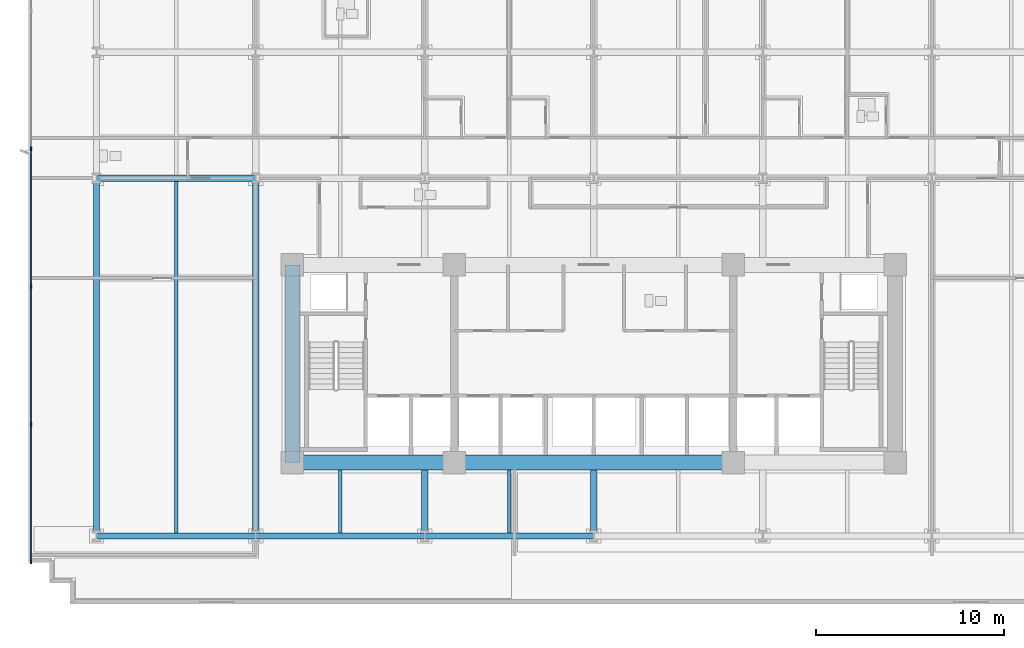
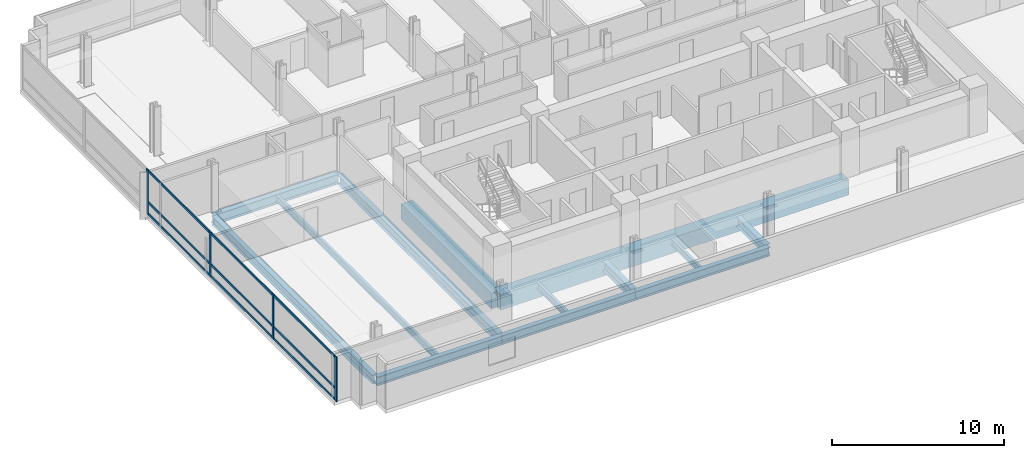
# One storey, part 2 of 15: 14 beams, 13 members, 1 element without a shape of its own.
"""IFC4 building model written with IfcOpenShell, lengths in metres."""

from ifc_helpers import new_model, si_unit, direction, frame, origin, origin_2d, place, context, subcontext, project, spatial, rectangle, i_section, extrude, material, material_profile, profile_set, type_object, element, aggregate, save


model = new_model("IFC4")

# Units and contexts
model_context = context("Model", 3, precision=1e-05, world=origin(), true_north=direction((0.0, 1.0)))
body_context = subcontext(model_context, "Body", "Model", "MODEL_VIEW")
ifc_project = project(units=[si_unit("LENGTHUNIT", "METRE"), si_unit("AREAUNIT", "SQUARE_METRE"), si_unit("VOLUMEUNIT", "CUBIC_METRE"), si_unit("PLANEANGLEUNIT", "RADIAN"), si_unit("MASSUNIT", "GRAM", prefix="KILO")], contexts=[model_context])

# Site, building, storey
site_placement = place(None, origin())
site = spatial("IfcSite", under=ifc_project, at=site_placement, CompositionType="ELEMENT")
building_placement = place(site_placement, origin())
building = spatial("IfcBuilding", under=site, at=building_placement, Name="Solmavex Isthmus Hotel", CompositionType="ELEMENT")
storey_placement = place(building_placement, frame((0.0, 0.0, 64.35009765625)))
storey = spatial("IfcBuildingStorey", under=building, at=storey_placement, Name="L17", CompositionType="ELEMENT", Elevation=64.35009765625)

# Beams
ifc_material_1 = material(Name="Steel ASTM A992 Grade 50", Category="steel")
ifc_material_profile_1 = material_profile(ifc_material_1, i_section(OverallWidth=0.354736328125, OverallDepth=0.695556640625, WebThickness=0.015380859375, FlangeThickness=0.02490234375, FilletRadius=0.017822265625, at=origin_2d()), Name="W27X146")
ifc_profile_set_1 = profile_set([ifc_material_profile_1], Name="Steel ASTM A992 Grade 50")
beam_type_1 = type_object("IfcBeamType", Name="BM-BG-W27X146", PredefinedType="BEAM", material=ifc_profile_set_1)
beam_1_placement = place(storey_placement, frame((-26.39990234375, 2.10009765625, -0.60791015625), z_axis=(1.0, 0.0, 0.0), x_axis=(0.0, 1.0, 0.0)))
element("IfcBeam", 1, at=beam_1_placement, inside=storey, type_object=beam_type_1, Name="Floor Girder L17-UG07", PredefinedType="BEAM", context=body_context, shape_type="SweptSolid", body=[
    extrude(i_section(OverallWidth=0.354736328125, OverallDepth=0.695556640625, WebThickness=0.015380859375, FlangeThickness=0.02490234375, FilletRadius=0.017822265625, at=origin_2d()), origin(), (0.0, 0.0, 1.0), 8.447998046875),
])
beam_2_placement = place(storey_placement, frame((-17.951904296875, -16.73681640625, -0.60791015625), z_axis=(0.0, 1.0, 0.0), x_axis=(-1.0, 0.0, 0.0)))
element("IfcBeam", 2, at=beam_2_placement, inside=storey, type_object=beam_type_1, Name="Floor Beam L17-VG28", PredefinedType="BEAM", context=body_context, shape_type="SweptSolid", body=[
    extrude(i_section(OverallWidth=0.354736328125, OverallDepth=0.695556640625, WebThickness=0.015380859375, FlangeThickness=0.02490234375, FilletRadius=0.017822265625, at=origin_2d()), origin(), (0.0, 0.0, 1.0), 18.659423828125),
])
for number, where, z_axis, x_axis, name in (
    (3, (-8.97607421875, -16.73681640625, -0.60791015625), (0.0, 1.0, 0.0), (-1.0, 0.0, 0.0), "Floor Beam L17-VG31"),
    (4, (0.0, -16.73681640625, -0.60791015625), (0.0, 1.0, 0.0), (-1.0, 0.0, 0.0), "Floor Beam L17-VG35"),
):
    element("IfcBeam", number, at=place(storey_placement, frame(where, z_axis=z_axis, x_axis=x_axis)), inside=storey, type_object=beam_type_1, Name=name, PredefinedType="BEAM", context=body_context, shape_type="SweptSolid", body=[
        extrude(i_section(OverallWidth=0.354736328125, OverallDepth=0.695556640625, WebThickness=0.015380859375, FlangeThickness=0.02490234375, FilletRadius=0.017822265625, at=origin_2d()), origin(), (0.0, 0.0, 1.0), 3.3369140625),
    ])
ifc_material_profile_2 = material_profile(ifc_material_1, i_section(OverallWidth=0.1904296875, OverallDepth=0.456787109375, WebThickness=0.009033203125, FlangeThickness=0.014404296875, FilletRadius=0.0126953125, at=origin_2d()), Name="W18X50")
ifc_profile_set_2 = profile_set([ifc_material_profile_2], Name="Steel ASTM A992 Grade 50")
beam_type_2 = type_object("IfcBeamType", Name="BM-BJ-W18X50", PredefinedType="JOIST", material=ifc_profile_set_2)
beam_3_placement = place(storey_placement, frame((-22.176025390625, -16.73681640625, -0.488525390625), z_axis=(0.0, 1.0, 0.0), x_axis=(-1.0, 0.0, 0.0)))
element("IfcBeam", 5, at=beam_3_placement, inside=storey, type_object=beam_type_2, Name="Secondary Floor Joist L17-J01", PredefinedType="JOIST", context=body_context, shape_type="SweptSolid", body=[
    extrude(i_section(OverallWidth=0.1904296875, OverallDepth=0.456787109375, WebThickness=0.009033203125, FlangeThickness=0.014404296875, FilletRadius=0.0126953125, at=origin_2d()), origin(), (0.0, 0.0, 1.0), 18.659423828125),
])
for number, where, z_axis, x_axis, name in (
    (6, (-13.464111328125, -16.73681640625, -0.488525390625), (0.0, 1.0, 0.0), (-1.0, 0.0, 0.0), "Secondary Floor Joist L17-J04"),
    (7, (-4.488037109375, -16.73681640625, -0.488525390625), (0.0, 1.0, 0.0), (-1.0, 0.0, 0.0), "Secondary Floor Joist L17-J08"),
):
    element("IfcBeam", number, at=place(storey_placement, frame(where, z_axis=z_axis, x_axis=x_axis)), inside=storey, type_object=beam_type_2, Name=name, PredefinedType="JOIST", context=body_context, shape_type="SweptSolid", body=[
        extrude(i_section(OverallWidth=0.1904296875, OverallDepth=0.456787109375, WebThickness=0.009033203125, FlangeThickness=0.014404296875, FilletRadius=0.0126953125, at=origin_2d()), origin(), (0.0, 0.0, 1.0), 3.3369140625),
    ])
ifc_material_2 = material(Name="Concrete C70/85", Category="concrete")
ifc_material_profile_3 = material_profile(ifc_material_2, rectangle(XDim=0.800048828125, YDim=1.10009765625, at=origin_2d()), Name="RC800X1100")
ifc_profile_set_3 = profile_set([ifc_material_profile_3], Name="Concrete C70/85")
beam_type_3 = type_object("IfcBeamType", Name="BM-CB-800X1100", PredefinedType="BEAM", material=ifc_profile_set_3)
beam_4_placement = place(storey_placement, frame((-16.0, -13.0, -0.81005859375), z_axis=(1.0, 0.0, 0.0), x_axis=(0.0, 1.0, 0.0)))
element("IfcBeam", 8, at=beam_4_placement, inside=storey, type_object=beam_type_3, Name="Core Coupling Beam L17-CB1", PredefinedType="BEAM", context=body_context, shape_type="SweptSolid", body=[
    extrude(rectangle(XDim=0.800048828125, YDim=1.10009765625, at=origin_2d()), origin(), (0.0, 0.0, 1.0), 8.60009765625),
])
beam_5_placement = place(storey_placement, frame((-7.39990234375, -13.0, -0.81005859375), z_axis=(1.0, 0.0, 0.0), x_axis=(0.0, 1.0, 0.0)))
element("IfcBeam", 9, at=beam_5_placement, inside=storey, type_object=beam_type_3, Name="Core Coupling Beam L17-CB2", PredefinedType="BEAM", context=body_context, shape_type="SweptSolid", body=[
    extrude(rectangle(XDim=0.800048828125, YDim=1.10009765625, at=origin_2d()), origin(), (0.0, 0.0, 1.0), 14.7998046875),
])
beam_6_placement = place(storey_placement, frame((-16.0, -13.0, -0.81005859375), z_axis=(0.0, 1.0, 0.0), x_axis=(-1.0, 0.0, 0.0)))
element("IfcBeam", 10, at=beam_6_placement, inside=storey, type_object=beam_type_3, Name="Core Coupling Beam L17-CB7", PredefinedType="BEAM", context=body_context, shape_type="SweptSolid", body=[
    extrude(rectangle(XDim=0.800048828125, YDim=1.10009765625, at=origin_2d()), origin(), (0.0, 0.0, 1.0), 10.5),
])
ifc_material_profile_4 = material_profile(ifc_material_1, i_section(OverallWidth=0.326416015625, OverallDepth=0.621826171875, WebThickness=0.015380859375, FlangeThickness=0.0244140625, FilletRadius=0.01513671875, at=origin_2d()), Name="W24X131")
ifc_profile_set_4 = profile_set([ifc_material_profile_4], Name="Steel ASTM A992 Grade 50")
beam_type_4 = type_object("IfcBeamType", Name="BM-SP-W24X131", PredefinedType="SPANDREL", material=ifc_profile_set_4)
beam_7_placement = place(storey_placement, frame((-26.39990234375, -16.89990234375, -0.571044921875), z_axis=(1.0, 0.0, 0.0), x_axis=(0.0, 1.0, 0.0)))
element("IfcBeam", 11, at=beam_7_placement, inside=storey, type_object=beam_type_4, Name="Floor Girder L17-UG01", PredefinedType="SPANDREL", context=body_context, shape_type="SweptSolid", body=[
    extrude(i_section(OverallWidth=0.326416015625, OverallDepth=0.621826171875, WebThickness=0.015380859375, FlangeThickness=0.0244140625, FilletRadius=0.01513671875, at=origin_2d()), origin(), (0.0, 0.0, 1.0), 8.447998046875),
])
beam_8_placement = place(storey_placement, frame((-17.951904296875, -16.89990234375, -0.571044921875), z_axis=(1.0, 0.0, 0.0), x_axis=(0.0, 1.0, 0.0)))
element("IfcBeam", 12, at=beam_8_placement, inside=storey, type_object=beam_type_4, Name="Floor Girder L17-UG02", PredefinedType="SPANDREL", context=body_context, shape_type="SweptSolid", body=[
    extrude(i_section(OverallWidth=0.326416015625, OverallDepth=0.621826171875, WebThickness=0.015380859375, FlangeThickness=0.0244140625, FilletRadius=0.01513671875, at=origin_2d()), origin(), (0.0, 0.0, 1.0), 8.975830078125),
])
beam_9_placement = place(storey_placement, frame((-8.97607421875, -16.89990234375, -0.571044921875), z_axis=(1.0, 0.0, 0.0), x_axis=(0.0, 1.0, 0.0)))
element("IfcBeam", 13, at=beam_9_placement, inside=storey, type_object=beam_type_4, Name="Floor Girder L17-UG03", PredefinedType="SPANDREL", context=body_context, shape_type="SweptSolid", body=[
    extrude(i_section(OverallWidth=0.326416015625, OverallDepth=0.621826171875, WebThickness=0.015380859375, FlangeThickness=0.0244140625, FilletRadius=0.01513671875, at=origin_2d()), origin(), (0.0, 0.0, 1.0), 8.97607421875),
])
beam_10_placement = place(storey_placement, frame((-26.39990234375, -16.73681640625, -0.571044921875), z_axis=(0.0, 1.0, 0.0), x_axis=(-1.0, 0.0, 0.0)))
element("IfcBeam", 14, at=beam_10_placement, inside=storey, type_object=beam_type_4, Name="Floor Beam L17-VG25", PredefinedType="SPANDREL", context=body_context, shape_type="SweptSolid", body=[
    extrude(i_section(OverallWidth=0.326416015625, OverallDepth=0.621826171875, WebThickness=0.015380859375, FlangeThickness=0.0244140625, FilletRadius=0.01513671875, at=origin_2d()), origin(), (0.0, 0.0, 1.0), 18.659423828125),
])

# Curtain wall, members
ifc_material_3 = material(Name="Aluminium alloy 6063-T6", Category="aluminium")
curtain_wall_type = type_object("IfcCurtainWallType", Name="CW-SYS-02", PredefinedType="NOTDEFINED", material=ifc_material_3)
curtain_wall_placement = place(storey_placement, origin())
curtain_wall = element("IfcCurtainWall", 15, at=curtain_wall_placement, inside=storey, type_object=curtain_wall_type, Name="Stick Curtain Wall CWL-L17-W1", PredefinedType="NOTDEFINED")
ifc_material_profile_5 = material_profile(ifc_material_3, rectangle(XDim=0.074951171875, YDim=0.219970703125, at=origin_2d()), Name="CWM-75X220")
ifc_profile_set_5 = profile_set([ifc_material_profile_5], Name="Aluminium alloy 6063-T6")
member_type_1 = type_object("IfcMemberType", Name="CW-SYS-02-MUL", PredefinedType="MULLION", material=ifc_profile_set_5)
member_1_placement = place(storey_placement, frame((-29.8798828125, -18.262451171875, 0.0), z_axis=(0.0, 0.0, 1.0), x_axis=(-1.0, 0.0, 0.0)))
member_1 = element("IfcMember", 16, at=member_1_placement, type_object=member_type_1, Name="CW-02 mullion 1", PredefinedType="MULLION", context=body_context, shape_type="SweptSolid", body=[
    extrude(rectangle(XDim=0.074951171875, YDim=0.219970703125, at=origin_2d()), origin(), (0.0, 0.0, 1.0), 3.18994140625),
])
member_2_placement = place(storey_placement, frame((-29.8798828125, -10.97998046875, 0.0), z_axis=(0.0, 0.0, 1.0), x_axis=(-1.0, 0.0, 0.0)))
member_2 = element("IfcMember", 17, at=member_2_placement, type_object=member_type_1, Name="CW-02 mullion 2", PredefinedType="MULLION", context=body_context, shape_type="SweptSolid", body=[
    extrude(rectangle(XDim=0.074951171875, YDim=0.219970703125, at=origin_2d()), origin(), (0.0, 0.0, 1.0), 3.18994140625),
])
member_3_placement = place(storey_placement, frame((-29.8798828125, -3.659912109375, 0.0), z_axis=(0.0, 0.0, 1.0), x_axis=(-1.0, 0.0, 0.0)))
member_3 = element("IfcMember", 18, at=member_3_placement, type_object=member_type_1, Name="CW-02 mullion 3", PredefinedType="MULLION", context=body_context, shape_type="SweptSolid", body=[
    extrude(rectangle(XDim=0.074951171875, YDim=0.219970703125, at=origin_2d()), origin(), (0.0, 0.0, 1.0), 3.18994140625),
])
member_4_placement = place(storey_placement, frame((-29.8798828125, 3.659912109375, 0.0), z_axis=(0.0, 0.0, 1.0), x_axis=(-1.0, 0.0, 0.0)))
member_4 = element("IfcMember", 19, at=member_4_placement, type_object=member_type_1, Name="CW-02 mullion 4", PredefinedType="MULLION", context=body_context, shape_type="SweptSolid", body=[
    extrude(rectangle(XDim=0.074951171875, YDim=0.219970703125, at=origin_2d()), origin(), (0.0, 0.0, 1.0), 3.18994140625),
])
ifc_material_profile_6 = material_profile(ifc_material_3, rectangle(XDim=0.074951171875, YDim=0.159912109375, at=origin_2d()), Name="CWT-75X160")
ifc_profile_set_6 = profile_set([ifc_material_profile_6], Name="Aluminium alloy 6063-T6")
member_type_2 = type_object("IfcMemberType", Name="CW-SYS-02-TRN", PredefinedType="USERDEFINED", material=ifc_profile_set_6)
member_5_placement = place(storey_placement, frame((-29.8798828125, -18.22509765625, 0.079833984375), z_axis=(0.0, 1.0, 0.0), x_axis=(-1.0, 0.0, 0.0)))
member_5 = element("IfcMember", 20, at=member_5_placement, type_object=member_type_2, Name="CW-02 transom 1.1", ObjectType="TRANSOM", PredefinedType="USERDEFINED", context=body_context, shape_type="SweptSolid", body=[
    extrude(rectangle(XDim=0.074951171875, YDim=0.159912109375, at=origin_2d()), origin(), (0.0, 0.0, 1.0), 7.20751953125),
])
member_6_placement = place(storey_placement, frame((-29.8798828125, -18.22509765625, 0.89990234375), z_axis=(0.0, 1.0, 0.0), x_axis=(-1.0, 0.0, 0.0)))
member_6 = element("IfcMember", 21, at=member_6_placement, type_object=member_type_2, Name="CW-02 transom 1.2", ObjectType="TRANSOM", PredefinedType="USERDEFINED", context=body_context, shape_type="SweptSolid", body=[
    extrude(rectangle(XDim=0.074951171875, YDim=0.159912109375, at=origin_2d()), origin(), (0.0, 0.0, 1.0), 7.20751953125),
])
member_7_placement = place(storey_placement, frame((-29.8798828125, -18.22509765625, 3.10986328125), z_axis=(0.0, 1.0, 0.0), x_axis=(-1.0, 0.0, 0.0)))
member_7 = element("IfcMember", 22, at=member_7_placement, type_object=member_type_2, Name="CW-02 transom 1.3", ObjectType="TRANSOM", PredefinedType="USERDEFINED", context=body_context, shape_type="SweptSolid", body=[
    extrude(rectangle(XDim=0.074951171875, YDim=0.159912109375, at=origin_2d()), origin(), (0.0, 0.0, 1.0), 7.20751953125),
])
member_8_placement = place(storey_placement, frame((-29.8798828125, -10.9423828125, 0.079833984375), z_axis=(0.0, 1.0, 0.0), x_axis=(-1.0, 0.0, 0.0)))
member_8 = element("IfcMember", 23, at=member_8_placement, type_object=member_type_2, Name="CW-02 transom 2.1", ObjectType="TRANSOM", PredefinedType="USERDEFINED", context=body_context, shape_type="SweptSolid", body=[
    extrude(rectangle(XDim=0.074951171875, YDim=0.159912109375, at=origin_2d()), origin(), (0.0, 0.0, 1.0), 7.244873046875),
])
member_9_placement = place(storey_placement, frame((-29.8798828125, -10.9423828125, 0.89990234375), z_axis=(0.0, 1.0, 0.0), x_axis=(-1.0, 0.0, 0.0)))
member_9 = element("IfcMember", 24, at=member_9_placement, type_object=member_type_2, Name="CW-02 transom 2.2", ObjectType="TRANSOM", PredefinedType="USERDEFINED", context=body_context, shape_type="SweptSolid", body=[
    extrude(rectangle(XDim=0.074951171875, YDim=0.159912109375, at=origin_2d()), origin(), (0.0, 0.0, 1.0), 7.244873046875),
])
member_10_placement = place(storey_placement, frame((-29.8798828125, -10.9423828125, 3.10986328125), z_axis=(0.0, 1.0, 0.0), x_axis=(-1.0, 0.0, 0.0)))
member_10 = element("IfcMember", 25, at=member_10_placement, type_object=member_type_2, Name="CW-02 transom 2.3", ObjectType="TRANSOM", PredefinedType="USERDEFINED", context=body_context, shape_type="SweptSolid", body=[
    extrude(rectangle(XDim=0.074951171875, YDim=0.159912109375, at=origin_2d()), origin(), (0.0, 0.0, 1.0), 7.244873046875),
])
member_11_placement = place(storey_placement, frame((-29.8798828125, -3.62255859375, 0.079833984375), z_axis=(0.0, 1.0, 0.0), x_axis=(-1.0, 0.0, 0.0)))
member_11 = element("IfcMember", 26, at=member_11_placement, type_object=member_type_2, Name="CW-02 transom 3.1", ObjectType="TRANSOM", PredefinedType="USERDEFINED", context=body_context, shape_type="SweptSolid", body=[
    extrude(rectangle(XDim=0.074951171875, YDim=0.159912109375, at=origin_2d()), origin(), (0.0, 0.0, 1.0), 7.2451171875),
])
member_12_placement = place(storey_placement, frame((-29.8798828125, -3.62255859375, 0.89990234375), z_axis=(0.0, 1.0, 0.0), x_axis=(-1.0, 0.0, 0.0)))
member_12 = element("IfcMember", 27, at=member_12_placement, type_object=member_type_2, Name="CW-02 transom 3.2", ObjectType="TRANSOM", PredefinedType="USERDEFINED", context=body_context, shape_type="SweptSolid", body=[
    extrude(rectangle(XDim=0.074951171875, YDim=0.159912109375, at=origin_2d()), origin(), (0.0, 0.0, 1.0), 7.2451171875),
])
member_13_placement = place(storey_placement, frame((-29.8798828125, -3.62255859375, 3.10986328125), z_axis=(0.0, 1.0, 0.0), x_axis=(-1.0, 0.0, 0.0)))
member_13 = element("IfcMember", 28, at=member_13_placement, type_object=member_type_2, Name="CW-02 transom 3.3", ObjectType="TRANSOM", PredefinedType="USERDEFINED", context=body_context, shape_type="SweptSolid", body=[
    extrude(rectangle(XDim=0.074951171875, YDim=0.159912109375, at=origin_2d()), origin(), (0.0, 0.0, 1.0), 7.2451171875),
])
aggregate(curtain_wall, [member_1, member_2, member_3, member_4, member_5, member_6, member_7, member_8, member_9, member_10, member_11, member_12, member_13])

save(model, "model.ifc")
